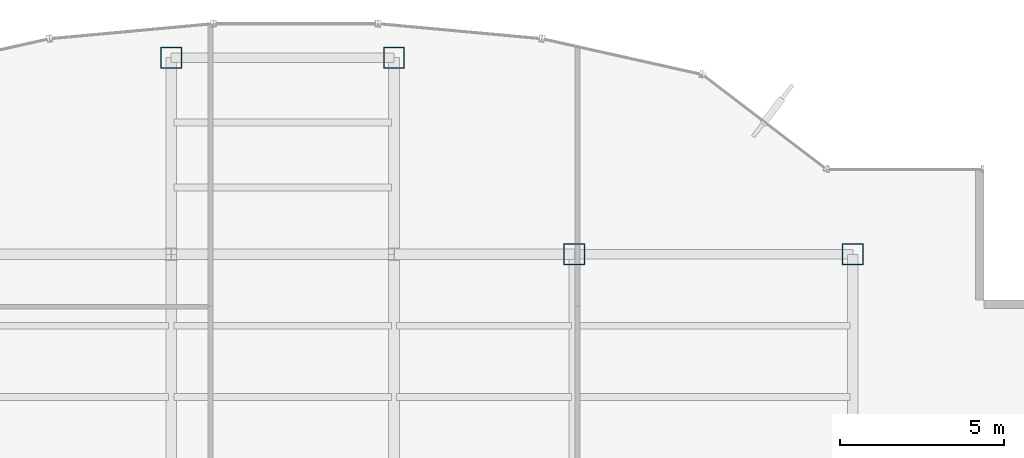
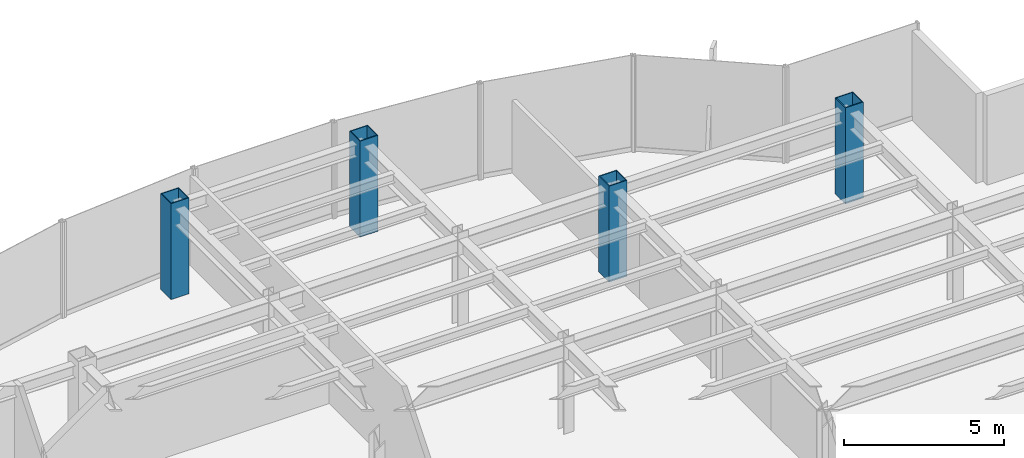
# One storey, part 2 of 25: 4 columns.
"""IFC4 building model written with IfcOpenShell, lengths in metres."""

import ifcopenshell
import ifcopenshell.guid

model = None  # the IFC model being written
_history = None  # IfcOwnerHistory: only IFC2X3 demands one
_inside = {}  # id of a spatial element -> (the spatial element, [elements in it])
_under = {}  # id of a project, library or spatial element -> (it, [spatial elements below it])
_declared = {}  # id of a project -> (the project, [libraries it declares])
_typed = {}  # id of a type object -> (the type object, [elements of that type])
_made_of = {}  # id of a material, layer set ... -> (it, [elements and type objects made of it])


def new_model(schema):
    """Start an empty IFC model of exactly this schema.

    Asked for "IFC4X3", IfcOpenShell would pick the latest addendum, in which some entities
    have other attributes; the version numbers below select the first issue.
    IFC2X3 requires an IfcOwnerHistory on every rooted entity: one is made here for all.
    """
    global model, _history
    if schema == "IFC4X3":
        model = ifcopenshell.file(schema_version=(4, 3, 0, 0))
    else:
        model = ifcopenshell.file(schema=schema)
    _inside.clear()
    _under.clear()
    _declared.clear()
    _typed.clear()
    _made_of.clear()
    _history = None
    if model.schema == "IFC2X3":
        org = make("IfcOrganization", Name="unknown")
        user = make(
            "IfcPersonAndOrganization",
            ThePerson=make("IfcPerson", FamilyName="unknown"),
            TheOrganization=org,
        )
        app = make(
            "IfcApplication",
            ApplicationDeveloper=org,
            Version="unknown",
            ApplicationFullName="unknown",
            ApplicationIdentifier="unknown",
        )
        _history = make(
            "IfcOwnerHistory",
            OwningUser=user,
            OwningApplication=app,
            ChangeAction="ADDED",
            CreationDate=0,
        )
    return model


def make(cls, **values):
    """One entity of the class cls with the attributes given. An attribute that is None is left unset."""
    return model.create_entity(
        cls, **{name: value for name, value in values.items() if value is not None}
    )


def rooted(cls, **values):
    """An entity with a GlobalId (a new one), such as an element, a storey or a relation."""
    return make(cls, GlobalId=ifcopenshell.guid.new(), OwnerHistory=_history, **values)


def si_unit(unit_type, name, prefix=None):
    """IfcSIUnit, for example si_unit("LENGTHUNIT", "METRE", prefix="MILLI")."""
    return make("IfcSIUnit", UnitType=unit_type, Prefix=prefix, Name=name)


def derived_unit(unit_type, elements):
    """IfcDerivedUnit: a product of units, each with its exponent."""
    return make(
        "IfcDerivedUnit",
        Elements=[
            make("IfcDerivedUnitElement", Unit=unit, Exponent=power)
            for unit, power in elements
        ],
        UnitType=unit_type,
    )


def assignment(units):
    """IfcUnitAssignment: the units of a project."""
    return None if units is None else make("IfcUnitAssignment", Units=units)


def point(xyz):
    """IfcCartesianPoint."""
    return None if xyz is None else make("IfcCartesianPoint", Coordinates=xyz)


def direction(xyz):
    """IfcDirection."""
    return None if xyz is None else make("IfcDirection", DirectionRatios=xyz)


def frame(location, z_axis=None, x_axis=None):
    """IfcAxis2Placement3D, a coordinate frame: its origin and axes. An axis left out is left unset."""
    return make(
        "IfcAxis2Placement3D",
        Location=point(location),
        Axis=direction(z_axis),
        RefDirection=direction(x_axis),
    )


def frame_2d(location, x_axis=None):
    """IfcAxis2Placement2D, a coordinate frame in the plane: its origin and x axis."""
    return make(
        "IfcAxis2Placement2D", Location=point(location), RefDirection=direction(x_axis)
    )


def origin():
    """The frame at (0, 0, 0) with its axes left unset."""
    return frame((0.0, 0.0, 0.0))


def origin_2d():
    """The frame at (0, 0) in the plane with its x axis left unset."""
    return frame_2d((0.0, 0.0))


def place(relative_to, where):
    """IfcLocalPlacement: puts the frame where relative to a parent placement (None: the world)."""
    return make(
        "IfcLocalPlacement", PlacementRelTo=relative_to, RelativePlacement=where
    )


def context(
    kind, dimensions, precision=None, world=None, true_north=None, identifier=None
):
    """IfcGeometricRepresentationContext, for example the 3D "Model" context."""
    return make(
        "IfcGeometricRepresentationContext",
        ContextIdentifier=identifier,
        ContextType=kind,
        CoordinateSpaceDimension=dimensions,
        Precision=precision,
        WorldCoordinateSystem=world,
        TrueNorth=true_north,
    )


def subcontext(parent, identifier, kind, view, scale=None):
    """IfcGeometricRepresentationSubContext, for example "Body" below "Model"."""
    return make(
        "IfcGeometricRepresentationSubContext",
        ContextIdentifier=identifier,
        ContextType=kind,
        ParentContext=parent,
        TargetScale=scale,
        TargetView=view,
    )


def project(units=None, contexts=None):
    """IfcProject with its units and contexts."""
    return rooted(
        "IfcProject",
        Name="project",
        RepresentationContexts=contexts,
        UnitsInContext=assignment(units),
    )


def spatial(cls, under=None, at=None, **own):
    """A site, building, storey or space (cls), placed at a placement, below another one or the project."""
    s = rooted(cls, ObjectPlacement=at, **own)
    if under is not None:
        _under.setdefault(under.id(), (under, []))[1].append(s)
    return s


def profile(cls, at=None, kind="AREA", **sizes):
    """A parametric profile (cls). Its sizes go by their IFC names, for example OverallWidth=200.0."""
    return make(cls, ProfileType=kind, Position=at, **sizes)


def hollow_rectangle(**sizes):
    """IfcRectangleHollowProfileDef."""
    return profile("IfcRectangleHollowProfileDef", **sizes)


def extrude(swept, where, along, depth):
    """IfcExtrudedAreaSolid: the profile swept, set in the frame where, extruded along a direction by depth."""
    return make(
        "IfcExtrudedAreaSolid",
        SweptArea=swept,
        Position=where,
        ExtrudedDirection=direction(along),
        Depth=depth,
    )


def shape(context_of_items, identifier, shape_type, items):
    """IfcShapeRepresentation: the items that make up one representation, for example the "Body"."""
    return make(
        "IfcShapeRepresentation",
        ContextOfItems=context_of_items,
        RepresentationIdentifier=identifier,
        RepresentationType=shape_type,
        Items=items,
    )


def source(mapping_origin, context_of_items, identifier, shape_type, items):
    """IfcRepresentationMap: a shape defined once, which mapped items show again and again."""
    return make(
        "IfcRepresentationMap",
        MappingOrigin=mapping_origin,
        MappedRepresentation=shape(context_of_items, identifier, shape_type, items),
    )


def transform(
    local_origin,
    x_axis=None,
    y_axis=None,
    z_axis=None,
    scale=None,
    scale2=None,
    scale3=None,
    uniform=True,
):
    """IfcCartesianTransformationOperator3D, or its non-uniform kind. x_axis, y_axis, z_axis: its Axis1, 2, 3."""
    if uniform:
        return make(
            "IfcCartesianTransformationOperator3D",
            Axis1=direction(x_axis),
            Axis2=direction(y_axis),
            LocalOrigin=point(local_origin),
            Scale=scale,
            Axis3=direction(z_axis),
        )
    return make(
        "IfcCartesianTransformationOperator3DnonUniform",
        Axis1=direction(x_axis),
        Axis2=direction(y_axis),
        LocalOrigin=point(local_origin),
        Scale=scale,
        Axis3=direction(z_axis),
        Scale2=scale2,
        Scale3=scale3,
    )


def mapped(mapping_source, mapping_target):
    """IfcMappedItem: shows the shape of a source again, moved by a transform."""
    return make(
        "IfcMappedItem", MappingSource=mapping_source, MappingTarget=mapping_target
    )


def material(Name=None, Category=None):
    """IfcMaterial."""
    return make("IfcMaterial", Name=Name, Category=Category)


def material_profile(
    of_material, cross_section, Name=None, Category=None, Priority=None
):
    """IfcMaterialProfile: a cross section and its material."""
    return make(
        "IfcMaterialProfile",
        Name=Name,
        Material=of_material,
        Profile=cross_section,
        Priority=Priority,
        Category=Category,
    )


def profile_set(profiles, Name=None, composite=None):
    """IfcMaterialProfileSet."""
    return make(
        "IfcMaterialProfileSet",
        Name=Name,
        MaterialProfiles=profiles,
        CompositeProfile=composite,
    )


def made_of(thing, what):
    """Note that an element or type object is made of a material, layer set ...; save() writes the relation."""
    if what is not None:
        _made_of.setdefault(what.id(), (what, []))[1].append(thing)
    return thing


def type_object(cls, material=None, **own):
    """A type object (cls), such as IfcWallType, which elements share."""
    return made_of(rooted(cls, **own), material)


def element(
    cls,
    number,
    at=None,
    inside=None,
    cuts=None,
    type_object=None,
    material=None,
    context=None,
    identifier="Body",
    shape_type=None,
    held_by="IfcProductDefinitionShape",
    body=None,
    shapes=None,
    **own,
):
    """One element of the class cls, such as IfcWall. Its Tag is "e" and its number.

    at: its placement. inside: the storey or other place that contains it. cuts: it is an
    opening in that element (IfcRelVoidsElement). A single representation is given by context,
    identifier, shape_type and body (its items); several are given by shapes. held_by: the class
    of the entity that holds the representations. save() writes the other relations.
    """
    e = rooted(cls, Tag="e%d" % number, ObjectPlacement=at, **own)
    if body is not None:
        shapes = [shape(context, identifier, shape_type, body)]
    if shapes is not None:
        e.Representation = make(held_by, Representations=shapes)
    if inside is not None:
        _inside.setdefault(inside.id(), (inside, []))[1].append(e)
    if cuts is not None:
        rooted(
            "IfcRelVoidsElement", RelatingBuildingElement=cuts, RelatedOpeningElement=e
        )
    if type_object is not None:
        _typed.setdefault(type_object.id(), (type_object, []))[1].append(e)
    return made_of(e, material)


def aggregate(whole, parts):
    """IfcRelAggregates: a whole, such as a stair, and the parts it consists of."""
    return rooted("IfcRelAggregates", RelatingObject=whole, RelatedObjects=parts)


def save(model, path):
    """Write the relations noted so far, then the file.

    IfcRelAggregates (storeys below a building ...), IfcRelContainedInSpatialStructure (elements
    in a storey), IfcRelDefinesByType, IfcRelAssociatesMaterial and IfcRelDeclares: one each for
    every whole, place, type object, material and project.
    """
    for whole, parts in _under.values():
        aggregate(whole, parts)
    for where, things in _inside.values():
        rooted(
            "IfcRelContainedInSpatialStructure",
            RelatedElements=things,
            RelatingStructure=where,
        )
    for kind, things in _typed.values():
        rooted("IfcRelDefinesByType", RelatedObjects=things, RelatingType=kind)
    for what, things in _made_of.values():
        rooted("IfcRelAssociatesMaterial", RelatedObjects=things, RelatingMaterial=what)
    for by, libraries in _declared.values():
        rooted("IfcRelDeclares", RelatingContext=by, RelatedDefinitions=libraries)
    model.write(path)


model = new_model("IFC4")

# Units and contexts
model_context = context("Model", 3, precision=1e-05, world=origin(), true_north=direction((0.0, 1.0)))
body_context = subcontext(model_context, "Body", "Model", "MODEL_VIEW")
ifc_project = project(units=[si_unit("LENGTHUNIT", "METRE"), si_unit("AREAUNIT", "SQUARE_METRE"), si_unit("VOLUMEUNIT", "CUBIC_METRE"), si_unit("PLANEANGLEUNIT", "RADIAN"), si_unit("MASSUNIT", "GRAM", prefix="KILO"), derived_unit("THERMALTRANSMITTANCEUNIT", [(si_unit("POWERUNIT", "WATT"), 1), (si_unit("LENGTHUNIT", "METRE"), -2), (si_unit("THERMODYNAMICTEMPERATUREUNIT", "KELVIN"), -1)])], contexts=[model_context])

# Site, building, storey
site_placement = place(None, origin())
site = spatial("IfcSite", under=ifc_project, at=site_placement, CompositionType="ELEMENT")
building_placement = place(site_placement, origin())
building = spatial("IfcBuilding", under=site, at=building_placement, Name="Skarnbrae Concourse Arena and Tower", CompositionType="ELEMENT")
storey_placement = place(building_placement, frame((0.0, 0.0, 155.199951171875)))
storey = spatial("IfcBuildingStorey", under=building, at=storey_placement, Name="L39", CompositionType="ELEMENT", Elevation=155.199951171875)

# Columns
ifc_material = material(Name="Steel CSA G40.21 350W", Category="steel")
ifc_material_profile = material_profile(ifc_material, hollow_rectangle(XDim=0.64990234375, YDim=0.64990234375, WallThickness=0.031982421875, at=origin_2d()), Name="BOX650X650X32")
ifc_profile_set = profile_set([ifc_material_profile], Name="Steel CSA G40.21 350W")
column_type = type_object("IfcColumnType", Name="COL-TUBE-BOX650", PredefinedType="COLUMN", material=ifc_profile_set)
shared_shape = source(origin(), body_context, "Body", "SweptSolid", [
    extrude(hollow_rectangle(XDim=0.64990234375, YDim=0.64990234375, WallThickness=0.031982421875, at=origin_2d()), origin(), (0.0, 0.0, 1.0), 3.650146484375),
])
for number, where, z_axis, x_axis, name in (
    (1, (21.199951171875, 40.39990234375, 0.0), (0.0, 0.0, 1.0), (1.0, 0.0, 0.0), "L39 Tower column PC_04_06"),
    (2, (28.0, 40.39990234375, 0.0), (0.0, 0.0, 1.0), (1.0, 0.0, 0.0), "L39 Tower column PC_05_06"),
    (3, (33.5, 34.39990234375, 0.0), (0.0, 0.0, 1.0), (1.0, 0.0, 0.0), "L39 Tower column PC_06_05"),
    (4, (42.0, 34.39990234375, 0.0), (0.0, 0.0, 1.0), (1.0, 0.0, 0.0), "L39 Tower column PC_07_05"),
):
    element("IfcColumn", number, at=place(storey_placement, frame(where, z_axis=z_axis, x_axis=x_axis)), inside=storey, type_object=column_type, Name=name, PredefinedType="COLUMN", context=body_context, shape_type="MappedRepresentation", body=[
        mapped(shared_shape, transform((0.0, 0.0, 0.0))),
    ])

save(model, "model.ifc")
